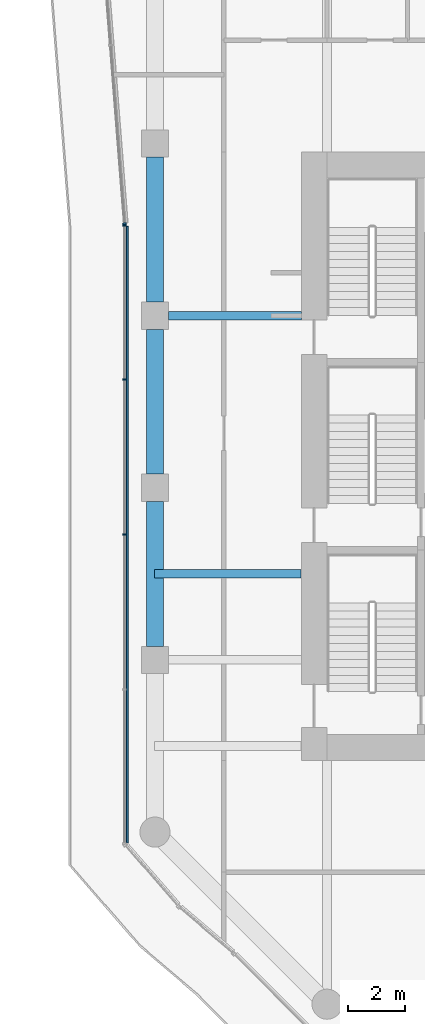
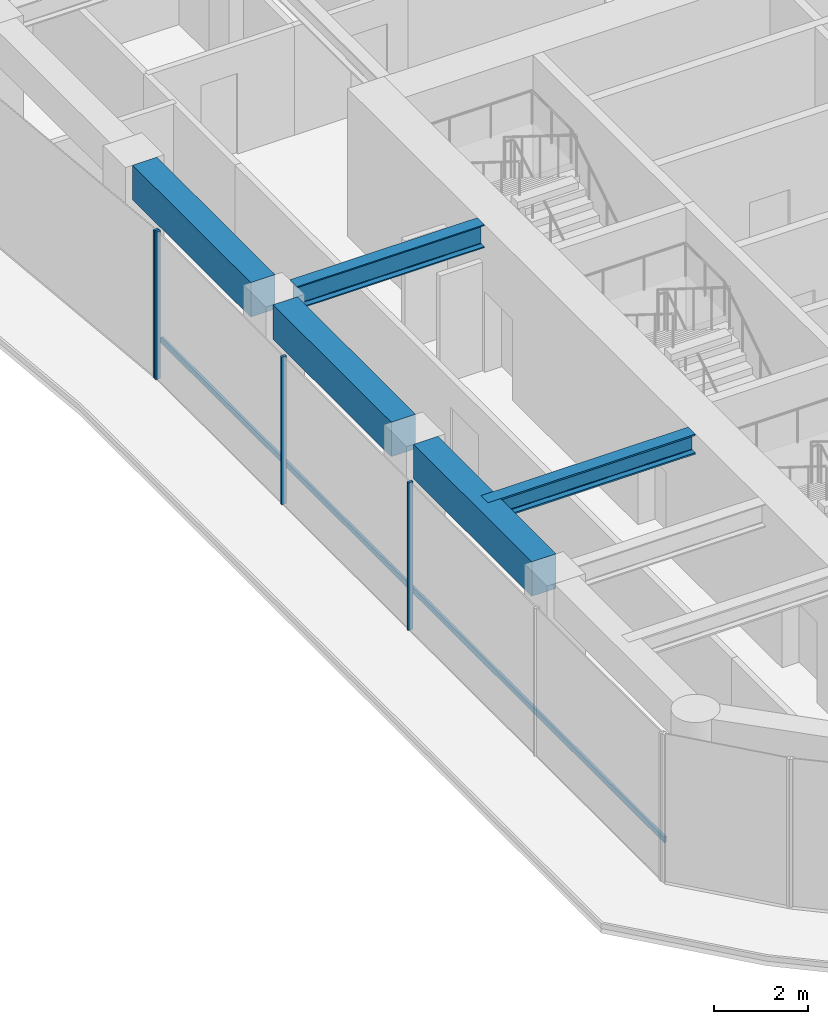
# One storey, part 4 of 28: 5 beams, 5 members, 2 elements without a shape of their own.
"""IFC4 building model written with IfcOpenShell, lengths in metres."""

from ifc_helpers import new_model, si_unit, direction, frame, origin, origin_2d, place, context, subcontext, project, spatial, rectangle, i_section, extrude, material, layer, layer_set, material_profile, profile_set, type_object, element, aggregate, save


model = new_model("IFC4")

# Units and contexts
model_context = context("Model", 3, precision=1e-05, world=origin(), true_north=direction((0.0, 1.0)))
body_context = subcontext(model_context, "Body", "Model", "MODEL_VIEW")
ifc_project = project(units=[si_unit("LENGTHUNIT", "METRE"), si_unit("AREAUNIT", "SQUARE_METRE"), si_unit("VOLUMEUNIT", "CUBIC_METRE"), si_unit("PLANEANGLEUNIT", "RADIAN"), si_unit("MASSUNIT", "GRAM", prefix="KILO")], contexts=[model_context])

# Site, building, storey
site_placement = place(None, origin())
site = spatial("IfcSite", under=ifc_project, at=site_placement, CompositionType="ELEMENT")
building_placement = place(site_placement, origin())
building = spatial("IfcBuilding", under=site, at=building_placement, Name="Welwitschia Terrace Campus", CompositionType="ELEMENT")
storey_placement = place(building_placement, frame((0.0, 0.0, 71.0)))
storey = spatial("IfcBuildingStorey", under=building, at=storey_placement, Name="L16", CompositionType="ELEMENT", Elevation=71.0)

# Beam
ifc_material_1 = material(Name="Steel S355", Category="steel")
ifc_material_profile_1 = material_profile(ifc_material_1, i_section(OverallWidth=0.305908203125, OverallDepth=0.52392578125, WebThickness=0.02099609375, FlangeThickness=0.0400390625, FilletRadius=0.027099609375, at=origin_2d()))
ifc_profile_set_1 = profile_set([ifc_material_profile_1], Name="Steel S355")
beam_type_1 = type_object("IfcBeamType", Name="Interior girder HE 500 M", PredefinedType="BEAM", material=ifc_profile_set_1)
beam_1_placement = place(storey_placement, frame((-0.010009765625, 11.0, 3.587890625), z_axis=(1.0, 0.0, 0.0), x_axis=(0.0, 1.0, 0.0)))
element("IfcBeam", 1, at=beam_1_placement, inside=storey, type_object=beam_type_1, Name="Girder GB2", PredefinedType="BEAM", context=body_context, shape_type="SweptSolid", body=[
    extrude(i_section(OverallWidth=0.305908203125, OverallDepth=0.52392578125, WebThickness=0.02099609375, FlangeThickness=0.0400390625, FilletRadius=0.027099609375, at=origin_2d()), origin(), (0.0, 0.0, 1.0), 5.109130859375),
])

# Curtain wall, member
ifc_material_2 = material(Name="Bronze anodised aluminium", Category="aluminium")
ifc_layer = layer(ifc_material_2, 0.1201171875)
ifc_layer_set = layer_set([ifc_layer], Name="Bronze anodised aluminium")
curtain_wall_type = type_object("IfcCurtainWallType", Name="Curtain wall CW2 tower 6000", PredefinedType="NOTDEFINED", material=ifc_layer_set)
curtain_wall_1_placement = place(storey_placement, origin())
curtain_wall_1 = element("IfcCurtainWall", 2, at=curtain_wall_1_placement, inside=storey, type_object=curtain_wall_type, Name="CW L16.18.0", PredefinedType="NOTDEFINED")
ifc_material_3 = material(Name="Bronze anodised aluminium", Category="aluminium")
ifc_material_profile_2 = material_profile(ifc_material_3, rectangle(XDim=0.1201171875, YDim=0.06005859375, at=origin_2d()))
ifc_profile_set_2 = profile_set([ifc_material_profile_2], Name="Bronze anodised aluminium")
member_type_1 = type_object("IfcMemberType", Name="Mullion 60x120", PredefinedType="MULLION", material=ifc_profile_set_2)
member_1_placement = place(storey_placement, frame((-1.060302734375, 23.2021484375, 0.0), z_axis=(0.0, 0.0, 1.0), x_axis=(0.996917333733, 0.078459095728, 0.0)))
member_1 = element("IfcMember", 3, at=member_1_placement, type_object=member_type_1, Name="Mullion L16.18.0.6", PredefinedType="MULLION", context=body_context, shape_type="SweptSolid", body=[
    extrude(rectangle(XDim=0.1201171875, YDim=0.06005859375, at=origin_2d()), origin(), (0.0, 0.0, 1.0), 3.85009765625),
])
aggregate(curtain_wall_1, [member_1])

# Curtain wall, members
curtain_wall_2_placement = place(storey_placement, origin())
curtain_wall_2 = element("IfcCurtainWall", 4, at=curtain_wall_2_placement, inside=storey, type_object=curtain_wall_type, Name="CW L16.19.0", PredefinedType="NOTDEFINED")
member_2_placement = place(storey_placement, frame((-1.05810546875, 23.14208984375, 0.0), z_axis=(0.0, 0.0, 1.0), x_axis=(1.0, 0.0, 0.0)))
member_2 = element("IfcMember", 5, at=member_2_placement, type_object=member_type_1, Name="Mullion L16.19.0.0", PredefinedType="MULLION", context=body_context, shape_type="SweptSolid", body=[
    extrude(rectangle(XDim=0.1201171875, YDim=0.06005859375, at=origin_2d()), origin(), (0.0, 0.0, 1.0), 3.85009765625),
])
member_3_placement = place(storey_placement, frame((-1.05810546875, 17.77001953125, 0.0), z_axis=(0.0, 0.0, 1.0), x_axis=(1.0, 0.0, 0.0)))
member_3 = element("IfcMember", 6, at=member_3_placement, type_object=member_type_1, Name="Mullion L16.19.0.1", PredefinedType="MULLION", context=body_context, shape_type="SweptSolid", body=[
    extrude(rectangle(XDim=0.1201171875, YDim=0.06005859375, at=origin_2d()), origin(), (0.0, 0.0, 1.0), 3.85009765625),
])
member_4_placement = place(storey_placement, frame((-1.05810546875, 12.3681640625, 0.0), z_axis=(0.0, 0.0, 1.0), x_axis=(1.0, 0.0, 0.0)))
member_4 = element("IfcMember", 7, at=member_4_placement, type_object=member_type_1, Name="Mullion L16.19.0.2", PredefinedType="MULLION", context=body_context, shape_type="SweptSolid", body=[
    extrude(rectangle(XDim=0.1201171875, YDim=0.06005859375, at=origin_2d()), origin(), (0.0, 0.0, 1.0), 3.85009765625),
])

# Beams
ifc_material_4 = material(Name="Steel S355", Category="steel")
ifc_material_profile_3 = material_profile(ifc_material_4, i_section(OverallWidth=0.300048828125, OverallDepth=0.60009765625, WebThickness=0.015380859375, FlangeThickness=0.030029296875, FilletRadius=0.027099609375, at=origin_2d()))
ifc_profile_set_3 = profile_set([ifc_material_profile_3], Name="Steel S355")
beam_type_2 = type_object("IfcBeamType", Name="Primary beam HE 600 B", PredefinedType="BEAM", material=ifc_profile_set_3)
beam_2_placement = place(storey_placement, frame((0.4755859375, 20.0, 3.550048828125), z_axis=(1.0, 0.0, 0.0), x_axis=(0.0, 1.0, 0.0)))
element("IfcBeam", 8, at=beam_2_placement, inside=storey, type_object=beam_type_2, Name="Primary beam PB2", PredefinedType="BEAM", context=body_context, shape_type="SweptSolid", body=[
    extrude(i_section(OverallWidth=0.300048828125, OverallDepth=0.60009765625, WebThickness=0.015380859375, FlangeThickness=0.030029296875, FilletRadius=0.027099609375, at=origin_2d()), origin(), (0.0, 0.0, 1.0), 4.62451171875),
])
ifc_material_5 = material(Name="Concrete C60/75", Category="concrete")
ifc_material_profile_4 = material_profile(ifc_material_5, rectangle(XDim=0.60009765625, YDim=0.89990234375, at=origin_2d()))
ifc_profile_set_4 = profile_set([ifc_material_profile_4], Name="Concrete C60/75")
beam_type_3 = type_object("IfcBeamType", Name="Ring spandrel 600x900", PredefinedType="SPANDREL", material=ifc_profile_set_4)
for number, where, z_axis, x_axis, name in (
    (9, (0.0, 25.5244140625, 3.39990234375), (0.0, -1.0, 0.0), (1.0, 0.0, 0.0), "Spandrel SP2"),
    (10, (0.0, 19.5244140625, 3.39990234375), (0.0, -1.0, 0.0), (1.0, 0.0, 0.0), "Spandrel SP2"),
    (11, (0.0, 13.5244140625, 3.39990234375), (0.0, -1.0, 0.0), (1.0, 0.0, 0.0), "Spandrel SP2"),
):
    element("IfcBeam", number, at=place(storey_placement, frame(where, z_axis=z_axis, x_axis=x_axis)), inside=storey, type_object=beam_type_3, Name=name, PredefinedType="SPANDREL", context=body_context, shape_type="SweptSolid", body=[
        extrude(rectangle(XDim=0.60009765625, YDim=0.89990234375, at=origin_2d()), origin(), (0.0, 0.0, 1.0), 5.048828125),
    ])

# Member
ifc_material_6 = material(Name="Bronze anodised aluminium", Category="aluminium")
ifc_material_profile_5 = material_profile(ifc_material_6, rectangle(XDim=0.06005859375, YDim=0.14990234375, at=origin_2d()))
ifc_profile_set_5 = profile_set([ifc_material_profile_5], Name="Bronze anodised aluminium")
member_type_2 = type_object("IfcMemberType", Name="Transom 60x150", PredefinedType="USERDEFINED", material=ifc_profile_set_5)
member_5_placement = place(storey_placement, frame((-0.968017578125, 23.112060546875, 1.0), z_axis=(0.0, -1.0, 0.0), x_axis=(1.0, 0.0, 0.0)))
member_5 = element("IfcMember", 12, at=member_5_placement, type_object=member_type_2, Name="Transom L16.19.0", ObjectType="TRANSOM", PredefinedType="USERDEFINED", context=body_context, shape_type="SweptSolid", body=[
    extrude(rectangle(XDim=0.06005859375, YDim=0.14990234375, at=origin_2d()), origin(), (0.0, 0.0, 1.0), 21.488037109375),
])

aggregate(curtain_wall_2, [member_2, member_3, member_4, member_5])

save(model, "model.ifc")
